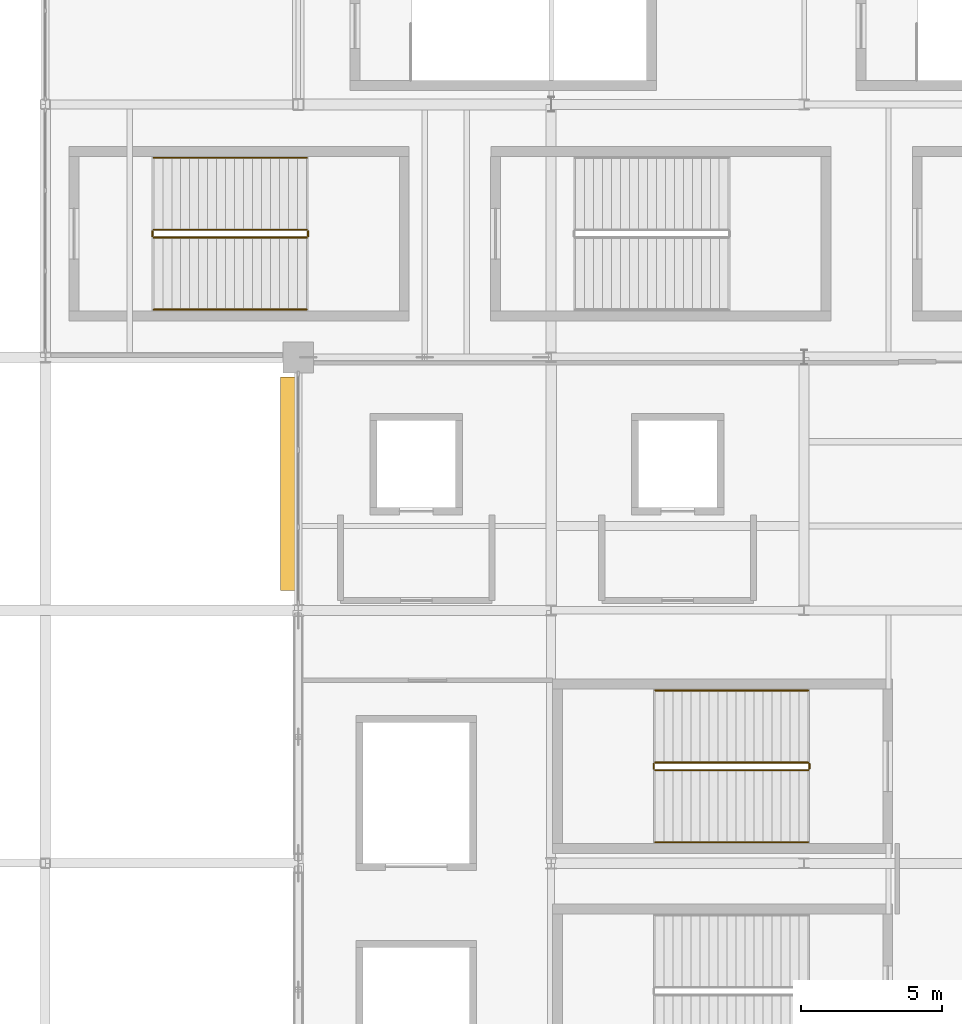
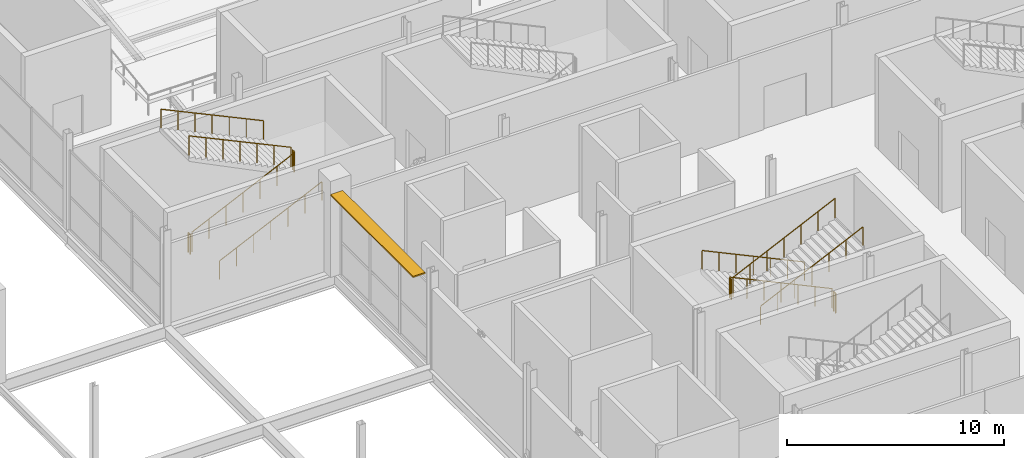
# One storey, part 114 of 119: 12 railings, 1 shading device.
"""IFC4 building model written with IfcOpenShell, lengths in metres."""

from ifc_helpers import new_model, si_unit, direction, frame, origin, origin_2d, place, context, subcontext, project, spatial, rectangle, circle, extrude, material, type_object, element, save


model = new_model("IFC4")

# Units and contexts
model_context = context("Model", 3, precision=1e-05, world=origin(), true_north=direction((0.0, 1.0)))
body_context = subcontext(model_context, "Body", "Model", "MODEL_VIEW")
ifc_project = project(units=[si_unit("LENGTHUNIT", "METRE"), si_unit("AREAUNIT", "SQUARE_METRE"), si_unit("VOLUMEUNIT", "CUBIC_METRE"), si_unit("PLANEANGLEUNIT", "RADIAN"), si_unit("MASSUNIT", "GRAM", prefix="KILO")], contexts=[model_context])

# Site, building, storey
site_placement = place(None, origin())
site = spatial("IfcSite", under=ifc_project, at=site_placement, CompositionType="ELEMENT")
building_placement = place(site_placement, origin())
building = spatial("IfcBuilding", under=site, at=building_placement, Name="Qamarlyn Nura Convention Centre", CompositionType="ELEMENT")
storey_placement = place(building_placement, frame((0.0, 0.0, 5.39990234375)))
storey = spatial("IfcBuildingStorey", under=building, at=storey_placement, Name="L01", CompositionType="ELEMENT", Elevation=5.39990234375)

# Railings
ifc_material_1 = material(Name="Marine Grade 316 stainless steel", Category="steel")
railing_type_1 = type_object("IfcRailingType", Name="GRD-STAIR-112", PredefinedType="BALUSTRADE", material=ifc_material_1)
railing_1_placement = place(storey_placement, frame((171.139892578125, 66.590087890625, 0.150146484375)))
element("IfcRailing", 1, at=railing_1_placement, inside=storey, type_object=railing_type_1, Name="L01 ST-12 stair guard 1", PredefinedType="BALUSTRADE", context=body_context, shape_type="SweptSolid", body=[
    extrude(circle(Radius=0.02392578125, at=origin_2d()), frame((0.0, 0.0, 1.09619140625), z_axis=(-0.90545405566, 0.0, 0.424444287379), x_axis=(0.0, -1.0, 0.0)), (0.0, 0.0, 1.0), 6.008056640625),
    extrude(circle(Radius=0.02099609375, at=origin_2d()), origin(), (0.0, 0.0, 1.0), 1.070068359375),
    extrude(circle(Radius=0.02099609375, at=origin_2d()), frame((-0.90673828125, 0.0, 0.425048828125)), (0.0, 0.0, 1.0), 1.070068359375),
    extrude(circle(Radius=0.02099609375, at=origin_2d()), frame((-1.813232421875, 0.0, 0.85009765625)), (0.0, 0.0, 1.0), 1.070068359375),
    extrude(circle(Radius=0.02099609375, at=origin_2d()), frame((-2.719970703125, 0.0, 1.27490234375)), (0.0, 0.0, 1.0), 1.070068359375),
    extrude(circle(Radius=0.02099609375, at=origin_2d()), frame((-3.626708984375, 0.0, 1.699951171875)), (0.0, 0.0, 1.0), 1.070068359375),
    extrude(circle(Radius=0.02099609375, at=origin_2d()), frame((-4.533203125, 0.0, 2.125)), (0.0, 0.0, 1.0), 1.070068359375),
    extrude(circle(Radius=0.02099609375, at=origin_2d()), frame((-5.43994140625, 0.0, 2.550048828125)), (0.0, 0.0, 1.0), 1.070068359375),
])
railing_2_placement = place(storey_placement, frame((165.64990234375, 66.5400390625, 2.7001953125)))
element("IfcRailing", 2, at=railing_2_placement, inside=storey, type_object=railing_type_1, Name="L01 ST-12 stair guard 2", PredefinedType="BALUSTRADE", context=body_context, shape_type="SweptSolid", body=[
    extrude(circle(Radius=0.02392578125, at=origin_2d()), frame((0.0, 0.0, 1.09619140625), z_axis=(0.0, -1.0, 0.0), x_axis=(1.0, 0.0, 0.0)), (0.0, 0.0, 1.0), 0.179931640625),
    extrude(circle(Radius=0.02099609375, at=origin_2d()), origin(), (0.0, 0.0, 1.0), 1.070068359375),
    extrude(circle(Radius=0.02099609375, at=origin_2d()), frame((0.0, -0.179931640625, 0.0)), (0.0, 0.0, 1.0), 1.070068359375),
])
railing_3_placement = place(storey_placement, frame((165.699951171875, 66.31005859375, 2.85009765625)))
element("IfcRailing", 3, at=railing_3_placement, inside=storey, type_object=railing_type_1, Name="L01 ST-12 stair guard 3", PredefinedType="BALUSTRADE", context=body_context, shape_type="SweptSolid", body=[
    extrude(circle(Radius=0.02392578125, at=origin_2d()), frame((0.0, 0.0, 1.09619140625), z_axis=(0.90545405566, 0.0, 0.424444287379), x_axis=(0.0, 1.0, 0.0)), (0.0, 0.0, 1.0), 6.008056640625),
    extrude(circle(Radius=0.02099609375, at=origin_2d()), origin(), (0.0, 0.0, 1.0), 1.070068359375),
    extrude(circle(Radius=0.02099609375, at=origin_2d()), frame((0.90673828125, 0.0, 0.425048828125)), (0.0, 0.0, 1.0), 1.070068359375),
    extrude(circle(Radius=0.02099609375, at=origin_2d()), frame((1.813232421875, 0.0, 0.85009765625)), (0.0, 0.0, 1.0), 1.070068359375),
    extrude(circle(Radius=0.02099609375, at=origin_2d()), frame((2.719970703125, 0.0, 1.27490234375)), (0.0, 0.0, 1.0), 1.070068359375),
    extrude(circle(Radius=0.02099609375, at=origin_2d()), frame((3.626708984375, 0.0, 1.699951171875)), (0.0, 0.0, 1.0), 1.070068359375),
    extrude(circle(Radius=0.02099609375, at=origin_2d()), frame((4.533203125, 0.0, 2.125)), (0.0, 0.0, 1.0), 1.070068359375),
    extrude(circle(Radius=0.02099609375, at=origin_2d()), frame((5.43994140625, 0.0, 2.550048828125)), (0.0, 0.0, 1.0), 1.070068359375),
])
railing_4_placement = place(storey_placement, frame((171.18994140625, 66.5400390625, 0.0)))
element("IfcRailing", 4, at=railing_4_placement, inside=storey, type_object=railing_type_1, Name="L01 ST-12 stair guard 4", PredefinedType="BALUSTRADE", context=body_context, shape_type="SweptSolid", body=[
    extrude(circle(Radius=0.02392578125, at=origin_2d()), frame((0.0, 0.0, 1.09619140625), z_axis=(0.0, -1.0, 0.0), x_axis=(1.0, 0.0, 0.0)), (0.0, 0.0, 1.0), 0.179931640625),
    extrude(circle(Radius=0.02099609375, at=origin_2d()), origin(), (0.0, 0.0, 1.0), 1.070068359375),
    extrude(circle(Radius=0.02099609375, at=origin_2d()), frame((0.0, -0.179931640625, 0.0)), (0.0, 0.0, 1.0), 1.070068359375),
])
railing_5_placement = place(storey_placement, frame((147.860107421875, 85.260009765625, 0.150146484375)))
element("IfcRailing", 5, at=railing_5_placement, inside=storey, type_object=railing_type_1, Name="L01 ST-15 stair guard 1", PredefinedType="BALUSTRADE", context=body_context, shape_type="SweptSolid", body=[
    extrude(circle(Radius=0.02392578125, at=origin_2d()), frame((0.0, 0.0, 1.09619140625), z_axis=(0.90545405566, 0.0, 0.424444287379), x_axis=(0.0, 1.0, 0.0)), (0.0, 0.0, 1.0), 6.008056640625),
    extrude(circle(Radius=0.02099609375, at=origin_2d()), origin(), (0.0, 0.0, 1.0), 1.070068359375),
    extrude(circle(Radius=0.02099609375, at=origin_2d()), frame((0.90673828125, 0.0, 0.425048828125)), (0.0, 0.0, 1.0), 1.070068359375),
    extrude(circle(Radius=0.02099609375, at=origin_2d()), frame((1.813232421875, 0.0, 0.85009765625)), (0.0, 0.0, 1.0), 1.070068359375),
    extrude(circle(Radius=0.02099609375, at=origin_2d()), frame((2.719970703125, 0.0, 1.27490234375)), (0.0, 0.0, 1.0), 1.070068359375),
    extrude(circle(Radius=0.02099609375, at=origin_2d()), frame((3.626708984375, 0.0, 1.699951171875)), (0.0, 0.0, 1.0), 1.070068359375),
    extrude(circle(Radius=0.02099609375, at=origin_2d()), frame((4.533203125, 0.0, 2.125)), (0.0, 0.0, 1.0), 1.070068359375),
    extrude(circle(Radius=0.02099609375, at=origin_2d()), frame((5.43994140625, 0.0, 2.550048828125)), (0.0, 0.0, 1.0), 1.070068359375),
])
railing_6_placement = place(storey_placement, frame((153.35009765625, 85.31005859375, 2.7001953125)))
element("IfcRailing", 6, at=railing_6_placement, inside=storey, type_object=railing_type_1, Name="L01 ST-15 stair guard 2", PredefinedType="BALUSTRADE", context=body_context, shape_type="SweptSolid", body=[
    extrude(circle(Radius=0.02392578125, at=origin_2d()), frame((0.0, 0.0, 1.09619140625), z_axis=(0.0, 1.0, 0.0), x_axis=(-1.0, 0.0, 0.0)), (0.0, 0.0, 1.0), 0.179931640625),
    extrude(circle(Radius=0.02099609375, at=origin_2d()), origin(), (0.0, 0.0, 1.0), 1.070068359375),
    extrude(circle(Radius=0.02099609375, at=origin_2d()), frame((0.0, 0.179931640625, 0.0)), (0.0, 0.0, 1.0), 1.070068359375),
])
railing_7_placement = place(storey_placement, frame((153.300048828125, 85.5400390625, 2.85009765625)))
element("IfcRailing", 7, at=railing_7_placement, inside=storey, type_object=railing_type_1, Name="L01 ST-15 stair guard 3", PredefinedType="BALUSTRADE", context=body_context, shape_type="SweptSolid", body=[
    extrude(circle(Radius=0.02392578125, at=origin_2d()), frame((0.0, 0.0, 1.09619140625), z_axis=(-0.90545405566, 0.0, 0.424444287379), x_axis=(0.0, -1.0, 0.0)), (0.0, 0.0, 1.0), 6.008056640625),
    extrude(circle(Radius=0.02099609375, at=origin_2d()), origin(), (0.0, 0.0, 1.0), 1.070068359375),
    extrude(circle(Radius=0.02099609375, at=origin_2d()), frame((-0.90673828125, 0.0, 0.425048828125)), (0.0, 0.0, 1.0), 1.070068359375),
    extrude(circle(Radius=0.02099609375, at=origin_2d()), frame((-1.813232421875, 0.0, 0.85009765625)), (0.0, 0.0, 1.0), 1.070068359375),
    extrude(circle(Radius=0.02099609375, at=origin_2d()), frame((-2.719970703125, 0.0, 1.27490234375)), (0.0, 0.0, 1.0), 1.070068359375),
    extrude(circle(Radius=0.02099609375, at=origin_2d()), frame((-3.626708984375, 0.0, 1.699951171875)), (0.0, 0.0, 1.0), 1.070068359375),
    extrude(circle(Radius=0.02099609375, at=origin_2d()), frame((-4.533203125, 0.0, 2.125)), (0.0, 0.0, 1.0), 1.070068359375),
    extrude(circle(Radius=0.02099609375, at=origin_2d()), frame((-5.43994140625, 0.0, 2.550048828125)), (0.0, 0.0, 1.0), 1.070068359375),
])
railing_8_placement = place(storey_placement, frame((147.81005859375, 85.31005859375, 0.0)))
element("IfcRailing", 8, at=railing_8_placement, inside=storey, type_object=railing_type_1, Name="L01 ST-15 stair guard 4", PredefinedType="BALUSTRADE", context=body_context, shape_type="SweptSolid", body=[
    extrude(circle(Radius=0.02392578125, at=origin_2d()), frame((0.0, 0.0, 1.09619140625), z_axis=(0.0, 1.0, 0.0), x_axis=(-1.0, 0.0, 0.0)), (0.0, 0.0, 1.0), 0.179931640625),
    extrude(circle(Radius=0.02099609375, at=origin_2d()), origin(), (0.0, 0.0, 1.0), 1.070068359375),
    extrude(circle(Radius=0.02099609375, at=origin_2d()), frame((0.0, 0.179931640625, 0.0)), (0.0, 0.0, 1.0), 1.070068359375),
])
railing_type_2 = type_object("IfcRailingType", Name="HRL-STAIR-090", PredefinedType="HANDRAIL", material=ifc_material_1)
railing_9_placement = place(storey_placement, frame((171.139892578125, 69.14990234375, 0.302490234375)))
element("IfcRailing", 9, at=railing_9_placement, inside=storey, type_object=railing_type_2, Name="L01 ST-12 stair handrail 1", PredefinedType="HANDRAIL", context=body_context, shape_type="SweptSolid", body=[
    extrude(circle(Radius=0.02392578125, at=origin_2d()), frame((0.0, 0.0, 0.88818359375), z_axis=(-0.90546967238, 0.0, 0.424410971113), x_axis=(0.0, -1.0, 0.0)), (0.0, 0.0, 1.0), 6.0078125),
    extrude(circle(Radius=0.02099609375, at=origin_2d()), frame((0.0, 0.0, -0.155029296875)), (0.0, 0.0, 1.0), 1.01708984375),
    extrude(circle(Radius=0.02099609375, at=origin_2d()), frame((-0.90673828125, 0.0, 0.27001953125)), (0.0, 0.0, 1.0), 1.01708984375),
    extrude(circle(Radius=0.02099609375, at=origin_2d()), frame((-1.813232421875, 0.0, 0.69482421875)), (0.0, 0.0, 1.0), 1.01708984375),
    extrude(circle(Radius=0.02099609375, at=origin_2d()), frame((-2.719970703125, 0.0, 1.119873046875)), (0.0, 0.0, 1.0), 1.01708984375),
    extrude(circle(Radius=0.02099609375, at=origin_2d()), frame((-3.626708984375, 0.0, 1.544921875)), (0.0, 0.0, 1.0), 1.01708984375),
    extrude(circle(Radius=0.02099609375, at=origin_2d()), frame((-4.533203125, 0.0, 1.9697265625)), (0.0, 0.0, 1.0), 1.01708984375),
    extrude(circle(Radius=0.02099609375, at=origin_2d()), frame((-5.43994140625, 0.0, 2.394775390625)), (0.0, 0.0, 1.0), 1.01708984375),
])
railing_10_placement = place(storey_placement, frame((165.699951171875, 63.75, 3.00244140625)))
element("IfcRailing", 10, at=railing_10_placement, inside=storey, type_object=railing_type_2, Name="L01 ST-12 stair handrail 2", PredefinedType="HANDRAIL", context=body_context, shape_type="SweptSolid", body=[
    extrude(circle(Radius=0.02392578125, at=origin_2d()), frame((0.0, 0.0, 0.88818359375), z_axis=(0.90545405566, 0.0, 0.424444287379), x_axis=(0.0, 1.0, 0.0)), (0.0, 0.0, 1.0), 6.008056640625),
    extrude(circle(Radius=0.02099609375, at=origin_2d()), frame((0.0, 0.0, -0.155029296875)), (0.0, 0.0, 1.0), 1.01708984375),
    extrude(circle(Radius=0.02099609375, at=origin_2d()), frame((0.90673828125, 0.0, 0.27001953125)), (0.0, 0.0, 1.0), 1.01708984375),
    extrude(circle(Radius=0.02099609375, at=origin_2d()), frame((1.813232421875, 0.0, 0.695068359375)), (0.0, 0.0, 1.0), 1.01708984375),
    extrude(circle(Radius=0.02099609375, at=origin_2d()), frame((2.719970703125, 0.0, 1.1201171875)), (0.0, 0.0, 1.0), 1.01708984375),
    extrude(circle(Radius=0.02099609375, at=origin_2d()), frame((3.626708984375, 0.0, 1.544921875)), (0.0, 0.0, 1.0), 1.01708984375),
    extrude(circle(Radius=0.02099609375, at=origin_2d()), frame((4.533203125, 0.0, 1.969970703125)), (0.0, 0.0, 1.0), 1.01708984375),
    extrude(circle(Radius=0.02099609375, at=origin_2d()), frame((5.43994140625, 0.0, 2.39501953125)), (0.0, 0.0, 1.0), 1.01708984375),
])
railing_11_placement = place(storey_placement, frame((147.860107421875, 82.699951171875, 0.302490234375)))
element("IfcRailing", 11, at=railing_11_placement, inside=storey, type_object=railing_type_2, Name="L01 ST-15 stair handrail 1", PredefinedType="HANDRAIL", context=body_context, shape_type="SweptSolid", body=[
    extrude(circle(Radius=0.02392578125, at=origin_2d()), frame((0.0, 0.0, 0.88818359375), z_axis=(0.90546967238, 0.0, 0.424410971113), x_axis=(0.0, 1.0, 0.0)), (0.0, 0.0, 1.0), 6.0078125),
    extrude(circle(Radius=0.02099609375, at=origin_2d()), frame((0.0, 0.0, -0.155029296875)), (0.0, 0.0, 1.0), 1.01708984375),
    extrude(circle(Radius=0.02099609375, at=origin_2d()), frame((0.90673828125, 0.0, 0.27001953125)), (0.0, 0.0, 1.0), 1.01708984375),
    extrude(circle(Radius=0.02099609375, at=origin_2d()), frame((1.813232421875, 0.0, 0.69482421875)), (0.0, 0.0, 1.0), 1.01708984375),
    extrude(circle(Radius=0.02099609375, at=origin_2d()), frame((2.719970703125, 0.0, 1.119873046875)), (0.0, 0.0, 1.0), 1.01708984375),
    extrude(circle(Radius=0.02099609375, at=origin_2d()), frame((3.626708984375, 0.0, 1.544921875)), (0.0, 0.0, 1.0), 1.01708984375),
    extrude(circle(Radius=0.02099609375, at=origin_2d()), frame((4.533203125, 0.0, 1.9697265625)), (0.0, 0.0, 1.0), 1.01708984375),
    extrude(circle(Radius=0.02099609375, at=origin_2d()), frame((5.43994140625, 0.0, 2.394775390625)), (0.0, 0.0, 1.0), 1.01708984375),
])
railing_12_placement = place(storey_placement, frame((153.300048828125, 88.10009765625, 3.00244140625)))
element("IfcRailing", 12, at=railing_12_placement, inside=storey, type_object=railing_type_2, Name="L01 ST-15 stair handrail 2", PredefinedType="HANDRAIL", context=body_context, shape_type="SweptSolid", body=[
    extrude(circle(Radius=0.02392578125, at=origin_2d()), frame((0.0, 0.0, 0.88818359375), z_axis=(-0.90545405566, 0.0, 0.424444287379), x_axis=(0.0, -1.0, 0.0)), (0.0, 0.0, 1.0), 6.008056640625),
    extrude(circle(Radius=0.02099609375, at=origin_2d()), frame((0.0, 0.0, -0.155029296875)), (0.0, 0.0, 1.0), 1.01708984375),
    extrude(circle(Radius=0.02099609375, at=origin_2d()), frame((-0.90673828125, 0.0, 0.27001953125)), (0.0, 0.0, 1.0), 1.01708984375),
    extrude(circle(Radius=0.02099609375, at=origin_2d()), frame((-1.813232421875, 0.0, 0.695068359375)), (0.0, 0.0, 1.0), 1.01708984375),
    extrude(circle(Radius=0.02099609375, at=origin_2d()), frame((-2.719970703125, 0.0, 1.1201171875)), (0.0, 0.0, 1.0), 1.01708984375),
    extrude(circle(Radius=0.02099609375, at=origin_2d()), frame((-3.626708984375, 0.0, 1.544921875)), (0.0, 0.0, 1.0), 1.01708984375),
    extrude(circle(Radius=0.02099609375, at=origin_2d()), frame((-4.533203125, 0.0, 1.969970703125)), (0.0, 0.0, 1.0), 1.01708984375),
    extrude(circle(Radius=0.02099609375, at=origin_2d()), frame((-5.43994140625, 0.0, 2.39501953125)), (0.0, 0.0, 1.0), 1.01708984375),
])

# Shading device
ifc_material_2 = material(Name="Champagne-anodised marine aluminium", Category="aluminium")
shading_device_type = type_object("IfcShadingDeviceType", Name="SHD-SUN-SHUTTER", PredefinedType="SHUTTER", material=ifc_material_2)
shading_device_placement = place(storey_placement, frame((152.699951171875, 76.5, 4.719970703125), z_axis=(0.0, 0.0, 1.0), x_axis=(1.0, 0.0, 0.0)))
element("IfcShadingDevice", 13, at=shading_device_placement, inside=storey, type_object=shading_device_type, Name="L01 courtyard solar sunshade 72", PredefinedType="SHUTTER", context=body_context, shape_type="SweptSolid", body=[
    extrude(rectangle(XDim=0.64990234375, YDim=7.60009765625, at=origin_2d()), origin(), (0.0, 0.0, 1.0), 0.080078125),
])

save(model, "model.ifc")
